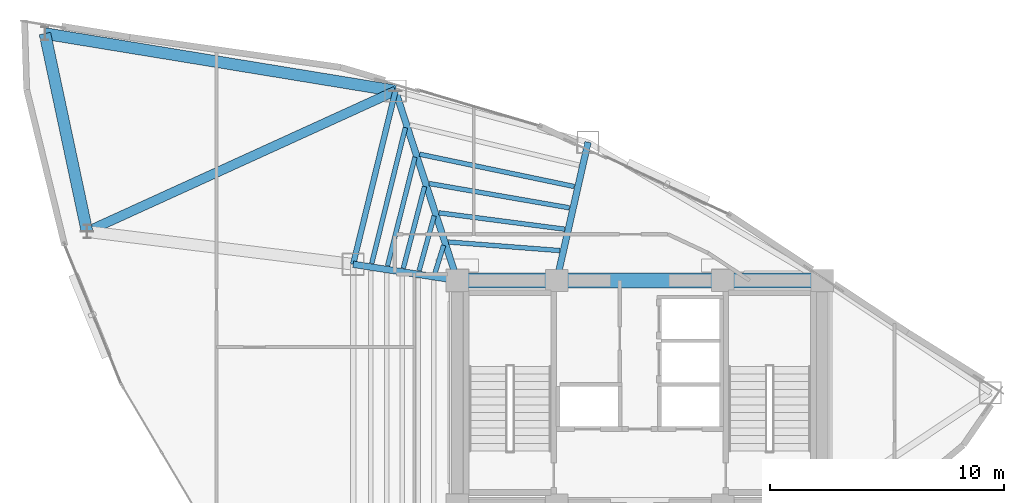
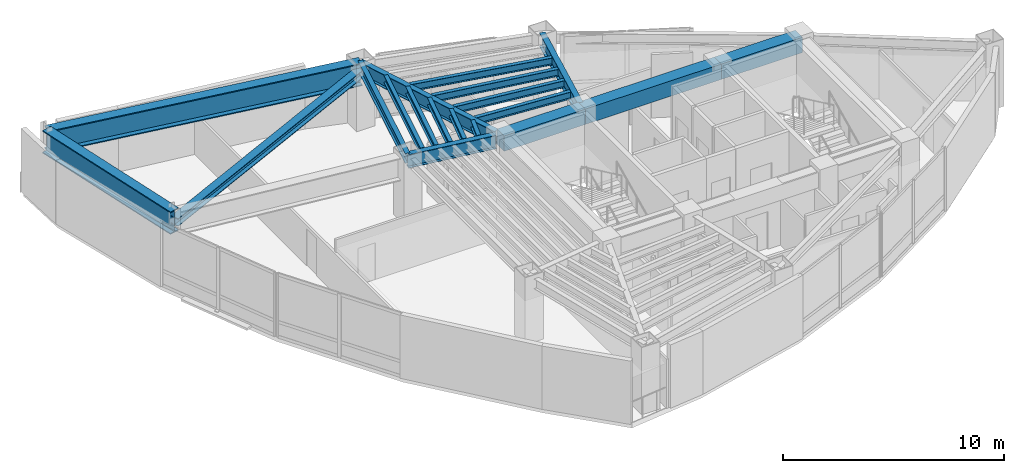
# One storey, part 7 of 16: 18 beams, 1 member.
"""IFC4 building model written with IfcOpenShell, lengths in metres."""

from ifc_helpers import new_model, si_unit, direction, frame, origin, origin_2d, place, context, subcontext, project, spatial, rectangle, i_section, extrude, material, material_profile, profile_set, type_object, element, save


model = new_model("IFC4")

# Units and contexts
model_context = context("Model", 3, precision=1e-05, world=origin(), true_north=direction((0.0, 1.0)))
body_context = subcontext(model_context, "Body", "Model", "MODEL_VIEW")
ifc_project = project(units=[si_unit("LENGTHUNIT", "METRE"), si_unit("AREAUNIT", "SQUARE_METRE"), si_unit("VOLUMEUNIT", "CUBIC_METRE"), si_unit("PLANEANGLEUNIT", "RADIAN"), si_unit("MASSUNIT", "GRAM", prefix="KILO")], contexts=[model_context])

# Site, building, storey
site_placement = place(None, origin())
site = spatial("IfcSite", under=ifc_project, at=site_placement, CompositionType="ELEMENT")
building_placement = place(site_placement, origin())
building = spatial("IfcBuilding", under=site, at=building_placement, Name="Menara Vayukalpa", CompositionType="ELEMENT")
storey_placement = place(building_placement, frame((0.0, 0.0, 195.239990234375)))
storey = spatial("IfcBuildingStorey", under=building, at=storey_placement, Name="L49", CompositionType="ELEMENT", Elevation=195.239990234375)

# Beams
ifc_material_1 = material(Name="Concrete C60/75", Category="concrete")
ifc_material_profile_1 = material_profile(ifc_material_1, rectangle(XDim=0.64990234375, YDim=0.85009765625, at=origin_2d()), Name="RC 650x850")
ifc_profile_set_1 = profile_set([ifc_material_profile_1], Name="Concrete C60/75")
beam_type_1 = type_object("IfcBeamType", Name="BM-CB1", PredefinedType="BEAM", material=ifc_profile_set_1)
beam_1_placement = place(storey_placement, frame((17.800048828125, 26.800048828125, 3.074951171875), z_axis=(1.0, 0.0, 0.0), x_axis=(0.0, 1.0, 0.0)))
element("IfcBeam", 1, at=beam_1_placement, inside=storey, type_object=beam_type_1, Name="L49 Core Tie Beam CBR4", PredefinedType="BEAM", context=body_context, shape_type="SweptSolid", body=[
    extrude(rectangle(XDim=0.64990234375, YDim=0.85009765625, at=origin_2d()), origin(), (0.0, 0.0, 1.0), 4.25),
])
beam_2_placement = place(storey_placement, frame((22.050048828125, 26.800048828125, 3.074951171875), z_axis=(1.0, 0.0, 0.0), x_axis=(0.0, 1.0, 0.0)))
element("IfcBeam", 2, at=beam_2_placement, inside=storey, type_object=beam_type_1, Name="L49 Core Tie Beam CBR5", PredefinedType="BEAM", context=body_context, shape_type="SweptSolid", body=[
    extrude(rectangle(XDim=0.64990234375, YDim=0.85009765625, at=origin_2d()), origin(), (0.0, 0.0, 1.0), 7.099853515625),
])
beam_3_placement = place(storey_placement, frame((29.14990234375, 26.800048828125, 3.074951171875), z_axis=(1.0, 0.0, 0.0), x_axis=(0.0, 1.0, 0.0)))
element("IfcBeam", 3, at=beam_3_placement, inside=storey, type_object=beam_type_1, Name="L49 Core Tie Beam CBR6", PredefinedType="BEAM", context=body_context, shape_type="SweptSolid", body=[
    extrude(rectangle(XDim=0.64990234375, YDim=0.85009765625, at=origin_2d()), origin(), (0.0, 0.0, 1.0), 4.25),
])
ifc_material_2 = material(Name="Steel S355", Category="steel")
ifc_material_profile_2 = material_profile(ifc_material_2, i_section(OverallWidth=0.280029296875, OverallDepth=0.75, WebThickness=0.013916015625, FlangeThickness=0.02490234375, at=origin_2d()), Name="WF 750x280x14x25")
ifc_profile_set_2 = profile_set([ifc_material_profile_2], Name="Steel S355")
beam_type_2 = type_object("IfcBeamType", Name="BM-PG4", PredefinedType="BEAM", material=ifc_profile_set_2)
beam_4_placement = place(storey_placement, frame((22.105224609375, 27.043701171875, 3.125), z_axis=(0.221085149161, 0.975254508741, 0.0), x_axis=(-0.975254508741, 0.221085149161, 0.0)))
element("IfcBeam", 4, at=beam_4_placement, inside=storey, type_object=beam_type_2, Name="L49 Primary Radial Girder RG03", PredefinedType="BEAM", context=body_context, shape_type="SweptSolid", body=[
    extrude(i_section(OverallWidth=0.280029296875, OverallDepth=0.75, WebThickness=0.013916015625, FlangeThickness=0.02490234375, at=origin_2d()), origin(), (0.0, 0.0, 1.0), 5.80859375),
])
beam_5_placement = place(storey_placement, frame((17.722412109375, 27.03759765625, 3.125), z_axis=(-0.310343552153, 0.950624468251, 0.0), x_axis=(-0.950624468251, -0.310343552153, 0.0)))
element("IfcBeam", 5, at=beam_5_placement, inside=storey, type_object=beam_type_2, Name="L49 Primary Radial Girder RG04", PredefinedType="BEAM", context=body_context, shape_type="SweptSolid", body=[
    extrude(i_section(OverallWidth=0.280029296875, OverallDepth=0.75, WebThickness=0.013916015625, FlangeThickness=0.02490234375, at=origin_2d()), origin(), (0.0, 0.0, 1.0), 8.2734375),
])
beam_6_placement = place(storey_placement, frame((17.552978515625, 26.838134765625, 3.125), z_axis=(-0.988244781219, 0.152879862617, 0.0), x_axis=(-0.152879862617, -0.988244781219, 0.0)))
element("IfcBeam", 6, at=beam_6_placement, inside=storey, type_object=beam_type_2, Name="L49 Primary Radial Girder RG05", PredefinedType="BEAM", context=body_context, shape_type="SweptSolid", body=[
    extrude(i_section(OverallWidth=0.280029296875, OverallDepth=0.75, WebThickness=0.013916015625, FlangeThickness=0.02490234375, at=origin_2d()), origin(), (0.0, 0.0, 1.0), 4.259033203125),
])
ifc_material_3 = material(Name="Steel S355", Category="steel")
ifc_material_profile_3 = material_profile(ifc_material_3, i_section(OverallWidth=0.199951171875, OverallDepth=0.39990234375, WebThickness=0.008056640625, FlangeThickness=0.012939453125, at=origin_2d()), Name="WF 400x200x8x13")
ifc_profile_set_3 = profile_set([ifc_material_profile_3], Name="Steel S355")
beam_type_3 = type_object("IfcBeamType", Name="BM-SJ2", PredefinedType="JOIST", material=ifc_profile_set_3)
beam_7_placement = place(storey_placement, frame((22.177001953125, 28.07568359375, 3.300048828125), z_axis=(-0.997061705182, 0.076602585202, 0.0), x_axis=(-0.076602585202, -0.997061705182, 0.0)))
element("IfcBeam", 7, at=beam_7_placement, inside=storey, type_object=beam_type_3, Name="L49 Secondary Floor Joist SJ03-1", PredefinedType="JOIST", context=body_context, shape_type="SweptSolid", body=[
    extrude(i_section(OverallWidth=0.199951171875, OverallDepth=0.39990234375, WebThickness=0.008056640625, FlangeThickness=0.012939453125, at=origin_2d()), origin(), (0.0, 0.0, 1.0), 4.77099609375),
])
beam_8_placement = place(storey_placement, frame((22.38330078125, 28.990478515625, 3.300048828125), z_axis=(-0.99161070493, 0.129260240866, 0.0), x_axis=(-0.129260240866, -0.99161070493, 0.0)))
element("IfcBeam", 8, at=beam_8_placement, inside=storey, type_object=beam_type_3, Name="L49 Secondary Floor Joist SJ03-2", PredefinedType="JOIST", context=body_context, shape_type="SweptSolid", body=[
    extrude(i_section(OverallWidth=0.199951171875, OverallDepth=0.39990234375, WebThickness=0.008056640625, FlangeThickness=0.012939453125, at=origin_2d()), origin(), (0.0, 0.0, 1.0), 5.420654296875),
])
beam_9_placement = place(storey_placement, frame((22.589599609375, 29.9033203125, 3.300048828125), z_axis=(-0.985288833054, 0.170897382832, 0.0), x_axis=(-0.170897382832, -0.985288833054, 0.0)))
element("IfcBeam", 9, at=beam_9_placement, inside=storey, type_object=beam_type_3, Name="L49 Secondary Floor Joist SJ03-3", PredefinedType="JOIST", context=body_context, shape_type="SweptSolid", body=[
    extrude(i_section(OverallWidth=0.199951171875, OverallDepth=0.39990234375, WebThickness=0.008056640625, FlangeThickness=0.012939453125, at=origin_2d()), origin(), (0.0, 0.0, 1.0), 6.0830078125),
])
beam_10_placement = place(storey_placement, frame((22.796142578125, 30.815185546875, 3.300048828125), z_axis=(-0.97888709748, 0.204401688806, 0.0), x_axis=(-0.204401688806, -0.97888709748, 0.0)))
element("IfcBeam", 10, at=beam_10_placement, inside=storey, type_object=beam_type_3, Name="L49 Secondary Floor Joist SJ03-4", PredefinedType="JOIST", context=body_context, shape_type="SweptSolid", body=[
    extrude(i_section(OverallWidth=0.199951171875, OverallDepth=0.39990234375, WebThickness=0.008056640625, FlangeThickness=0.012939453125, at=origin_2d()), origin(), (0.0, 0.0, 1.0), 6.75439453125),
])
beam_11_placement = place(storey_placement, frame((17.212890625, 28.300537109375, 3.300048828125), z_axis=(-0.296448419226, -0.955048865105, 0.0), x_axis=(0.955048865105, -0.296448419226, 0.0)))
element("IfcBeam", 11, at=beam_11_placement, inside=storey, type_object=beam_type_3, Name="L49 Secondary Floor Joist SJ04-1", PredefinedType="JOIST", context=body_context, shape_type="SweptSolid", body=[
    extrude(i_section(OverallWidth=0.199951171875, OverallDepth=0.39990234375, WebThickness=0.008056640625, FlangeThickness=0.012939453125, at=origin_2d()), origin(), (0.0, 0.0, 1.0), 1.24853515625),
])
beam_12_placement = place(storey_placement, frame((16.80712890625, 29.5576171875, 3.300048828125), z_axis=(-0.264502665082, -0.964384954344, 0.0), x_axis=(0.964384954344, -0.264502665082, 0.0)))
element("IfcBeam", 12, at=beam_12_placement, inside=storey, type_object=beam_type_3, Name="L49 Secondary Floor Joist SJ04-2", PredefinedType="JOIST", context=body_context, shape_type="SweptSolid", body=[
    extrude(i_section(OverallWidth=0.199951171875, OverallDepth=0.39990234375, WebThickness=0.008056640625, FlangeThickness=0.012939453125, at=origin_2d()), origin(), (0.0, 0.0, 1.0), 2.430419921875),
])
beam_13_placement = place(storey_placement, frame((16.398193359375, 30.815185546875, 3.300048828125), z_axis=(-0.251714869346, -0.967801438597, 0.0), x_axis=(0.967801438597, -0.251714869346, 0.0)))
element("IfcBeam", 13, at=beam_13_placement, inside=storey, type_object=beam_type_3, Name="L49 Secondary Floor Joist SJ04-3", PredefinedType="JOIST", context=body_context, shape_type="SweptSolid", body=[
    extrude(i_section(OverallWidth=0.199951171875, OverallDepth=0.39990234375, WebThickness=0.008056640625, FlangeThickness=0.012939453125, at=origin_2d()), origin(), (0.0, 0.0, 1.0), 3.61279296875),
])
beam_14_placement = place(storey_placement, frame((15.988525390625, 32.073486328125, 3.300048828125), z_axis=(-0.24483447751, -0.969564891393, 0.0), x_axis=(0.969564891393, -0.24483447751, 0.0)))
element("IfcBeam", 14, at=beam_14_placement, inside=storey, type_object=beam_type_3, Name="L49 Secondary Floor Joist SJ04-4", PredefinedType="JOIST", context=body_context, shape_type="SweptSolid", body=[
    extrude(i_section(OverallWidth=0.199951171875, OverallDepth=0.39990234375, WebThickness=0.008056640625, FlangeThickness=0.012939453125, at=origin_2d()), origin(), (0.0, 0.0, 1.0), 4.79638671875),
])
beam_15_placement = place(storey_placement, frame((15.57861328125, 33.33154296875, 3.300048828125), z_axis=(-0.240556182956, -0.970635216156, 0.0), x_axis=(0.970635216156, -0.240556182956, 0.0)))
element("IfcBeam", 15, at=beam_15_placement, inside=storey, type_object=beam_type_3, Name="L49 Secondary Floor Joist SJ04-5", PredefinedType="JOIST", context=body_context, shape_type="SweptSolid", body=[
    extrude(i_section(OverallWidth=0.199951171875, OverallDepth=0.39990234375, WebThickness=0.008056640625, FlangeThickness=0.012939453125, at=origin_2d()), origin(), (0.0, 0.0, 1.0), 5.979736328125),
])
ifc_material_4 = material(Name="Steel S355", Category="steel")
ifc_material_profile_4 = material_profile(ifc_material_4, i_section(OverallWidth=0.239990234375, OverallDepth=0.550048828125, WebThickness=0.010986328125, FlangeThickness=0.01904296875, at=origin_2d()), Name="WF 550x240x11x19")
ifc_profile_set_4 = profile_set([ifc_material_profile_4], Name="Steel S355")
beam_type_4 = type_object("IfcBeamType", Name="BM-SP2", PredefinedType="SPANDREL", material=ifc_profile_set_4)
beam_16_placement = place(storey_placement, frame((15.15478515625, 34.902587890625, 3.22509765625), z_axis=(-0.237285374413, -0.971439988414, 0.0), x_axis=(0.971439988414, -0.237285374413, 0.0)))
element("IfcBeam", 16, at=beam_16_placement, inside=storey, type_object=beam_type_4, Name="L49 Perimeter Spandrel Beam SP04", PredefinedType="SPANDREL", context=body_context, shape_type="SweptSolid", body=[
    extrude(i_section(OverallWidth=0.239990234375, OverallDepth=0.550048828125, WebThickness=0.010986328125, FlangeThickness=0.01904296875, at=origin_2d()), origin(), (0.0, 0.0, 1.0), 7.63134765625),
])
ifc_material_5 = material(Name="Steel S460", Category="steel")
ifc_material_profile_5 = material_profile(ifc_material_5, i_section(OverallWidth=0.5, OverallDepth=1.25, WebThickness=0.028076171875, FlangeThickness=0.054931640625, at=origin_2d()), Name="WG 1250x500x28x55")
ifc_profile_set_5 = profile_set([ifc_material_profile_5], Name="Steel S460")
beam_type_5 = type_object("IfcBeamType", Name="BM-TG2", PredefinedType="BEAM", material=ifc_profile_set_5)
beam_17_placement = place(storey_placement, frame((15.15478515625, 34.902587890625, 2.875), z_axis=(-0.986879146906, 0.161460674474, 0.0), x_axis=(-0.161460674474, -0.986879146906, 0.0)))
element("IfcBeam", 17, at=beam_17_placement, inside=storey, type_object=beam_type_5, Name="L49 SB4 Sky Bar Vierendeel Girder 04", PredefinedType="BEAM", context=body_context, shape_type="SweptSolid", body=[
    extrude(i_section(OverallWidth=0.5, OverallDepth=1.25, WebThickness=0.028076171875, FlangeThickness=0.054931640625, at=origin_2d()), origin(), (0.0, 0.0, 1.0), 15.188720703125),
])
beam_18_placement = place(storey_placement, frame((0.165283203125, 37.35498046875, 2.875), z_axis=(0.208089844975, -0.978109715941, 0.0), x_axis=(0.978109715941, 0.208089844975, 0.0)))
element("IfcBeam", 18, at=beam_18_placement, inside=storey, type_object=beam_type_5, Name="L49 SB4 Sky Bar Edge Girder 1", PredefinedType="BEAM", context=body_context, shape_type="SweptSolid", body=[
    extrude(i_section(OverallWidth=0.5, OverallDepth=1.25, WebThickness=0.028076171875, FlangeThickness=0.054931640625, at=origin_2d()), origin(), (0.0, 0.0, 1.0), 8.655029296875),
])

# Member
ifc_material_6 = material(Name="Steel S460", Category="steel")
ifc_material_profile_6 = material_profile(ifc_material_6, i_section(OverallWidth=0.406982421875, OverallDepth=0.427978515625, WebThickness=0.02001953125, FlangeThickness=0.034912109375, at=origin_2d()), Name="H 428x407x20x35")
ifc_profile_set_6 = profile_set([ifc_material_profile_6], Name="Steel S460")
member_type = type_object("IfcMemberType", Name="MEM-BR1", PredefinedType="BRACE", material=ifc_profile_set_6)
member_placement = place(storey_placement, frame((15.15478515625, 34.902587890625, 2.875), z_axis=(-0.909887096764, -0.414855964333, 0.0), x_axis=(0.414855964333, -0.909887096764, 0.0)))
element("IfcMember", 19, at=member_placement, inside=storey, type_object=member_type, Name="L49 SB4 Sky Bar Diaphragm Truss Brace 04", PredefinedType="BRACE", context=body_context, shape_type="SweptSolid", body=[
    extrude(i_section(OverallWidth=0.406982421875, OverallDepth=0.427978515625, WebThickness=0.02001953125, FlangeThickness=0.034912109375, at=origin_2d()), origin(), (0.0, 0.0, 1.0), 14.49462890625),
])

save(model, "model.ifc")
